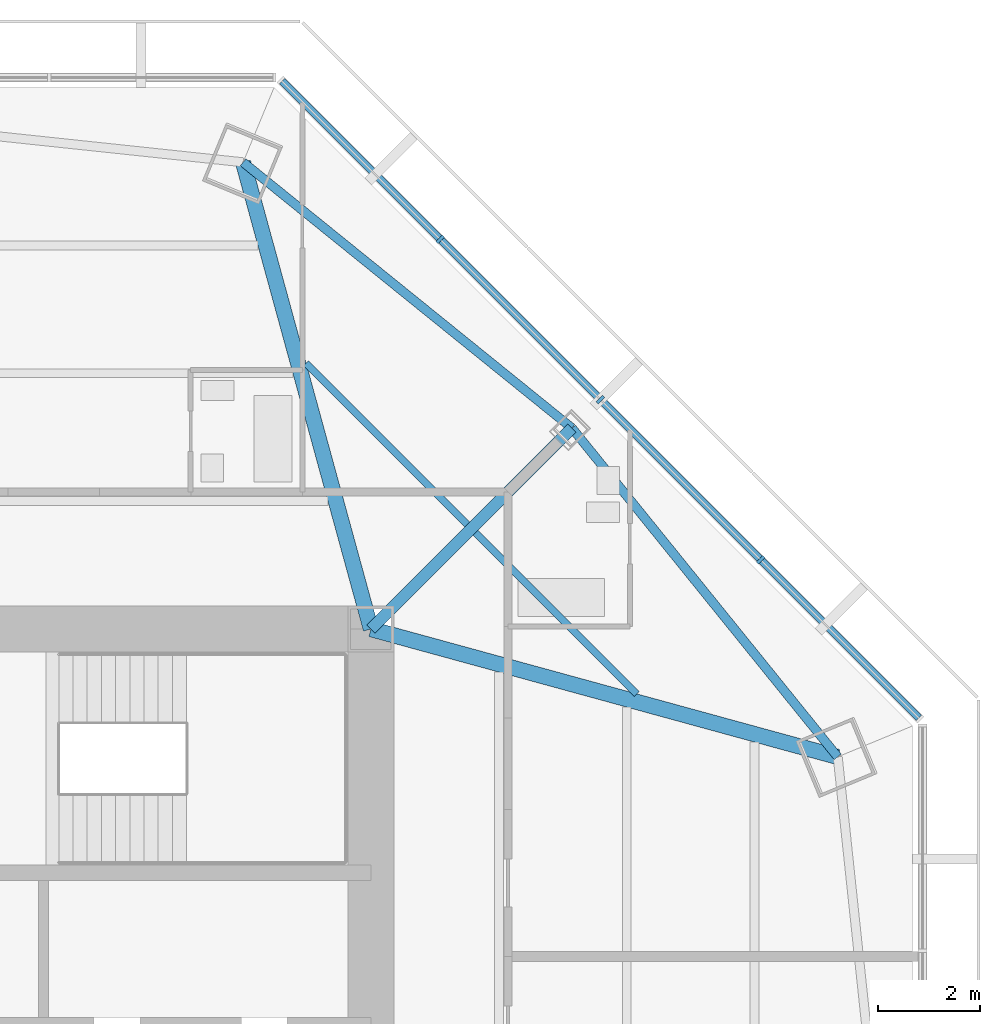
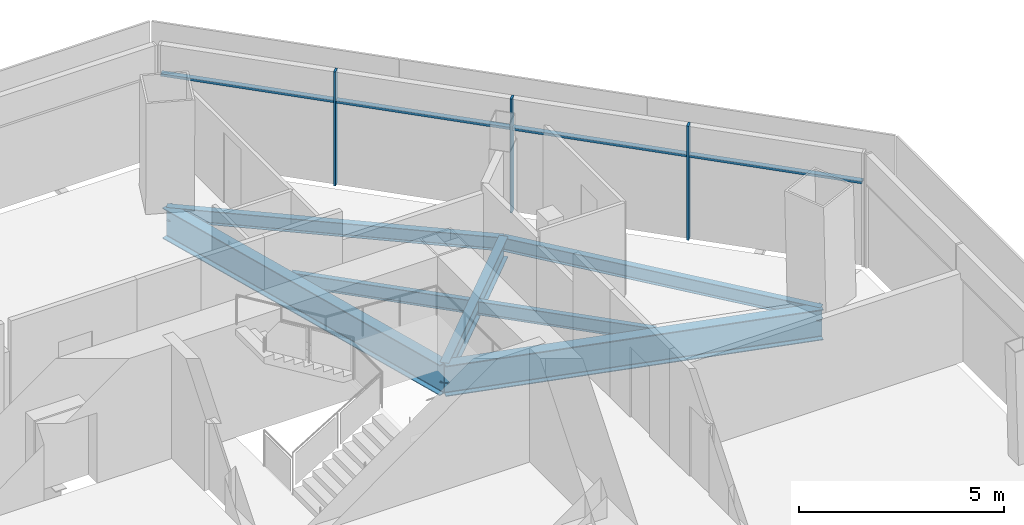
# One storey, part 6 of 15: 7 beams, 7 members, 1 element without a shape of its own.
"""IFC4 building model written with IfcOpenShell, lengths in metres."""

from ifc_helpers import new_model, si_unit, direction, frame, origin, origin_2d, place, context, subcontext, project, spatial, rectangle, i_section, extrude, source, transform, mapped, material, material_profile, profile_set, type_object, type_shapes, element, aggregate, save


model = new_model("IFC4")

# Units and contexts
model_context = context("Model", 3, precision=1e-05, world=origin(), true_north=direction((0.0, 1.0)))
body_context = subcontext(model_context, "Body", "Model", "MODEL_VIEW")
ifc_project = project(units=[si_unit("LENGTHUNIT", "METRE"), si_unit("AREAUNIT", "SQUARE_METRE"), si_unit("VOLUMEUNIT", "CUBIC_METRE"), si_unit("PLANEANGLEUNIT", "RADIAN"), si_unit("MASSUNIT", "GRAM", prefix="KILO")], contexts=[model_context])

# Site, building, storey
site_placement = place(None, origin())
site = spatial("IfcSite", under=ifc_project, at=site_placement, CompositionType="ELEMENT")
building_placement = place(site_placement, origin())
building = spatial("IfcBuilding", under=site, at=building_placement, Name="Mashrafa Tower", CompositionType="ELEMENT")
storey_placement = place(building_placement, frame((0.0, 0.0, 224.39990234375)))
storey = spatial("IfcBuildingStorey", under=building, at=storey_placement, Name="L52", CompositionType="ELEMENT", Elevation=224.39990234375)

# Beams
ifc_material_1 = material(Name="Steel ASTM A992", Category="steel")
ifc_material_profile_1 = material_profile(ifc_material_1, i_section(OverallWidth=0.140380859375, OverallDepth=0.40380859375, WebThickness=0.007080078125, FlangeThickness=0.01123046875, FilletRadius=0.01025390625, at=origin_2d()), Name="W16X31")
ifc_profile_set_1 = profile_set([ifc_material_profile_1], Name="Steel ASTM A992")
beam_type_1 = type_object("IfcBeamType", Name="Beam W16X31", PredefinedType="BEAM", material=ifc_profile_set_1)
for number, where, z_axis, x_axis, name in (
    (1, (9.5244140625, 16.03466796875, -0.40185546875), (0.707106781187, -0.707106781187, 0.0), (0.707106781187, 0.707106781187, 0.0), "Floor beam L52 021"),
    (2, (12.860595703125, 12.698486328125, -0.40185546875), (0.707106781187, -0.707106781187, 0.0), (0.707106781187, 0.707106781187, 0.0), "Floor beam L52 025"),
):
    element("IfcBeam", number, at=place(storey_placement, frame(where, z_axis=z_axis, x_axis=x_axis)), inside=storey, type_object=beam_type_1, Name=name, PredefinedType="BEAM", context=body_context, shape_type="SweptSolid", body=[
        extrude(i_section(OverallWidth=0.140380859375, OverallDepth=0.40380859375, WebThickness=0.007080078125, FlangeThickness=0.01123046875, FilletRadius=0.01025390625, at=origin_2d()), origin(), (0.0, 0.0, 1.0), 4.48876953125),
    ])
ifc_material_2 = material(Name="Steel ASTM A992", Category="steel")
ifc_material_profile_2 = material_profile(ifc_material_2, i_section(OverallWidth=0.177734375, OverallDepth=0.406494140625, WebThickness=0.0078125, FlangeThickness=0.012939453125, FilletRadius=0.01025390625, at=origin_2d()), Name="W16X40")
ifc_profile_set_2 = profile_set([ifc_material_profile_2], Name="Steel ASTM A992")
beam_type_2 = type_object("IfcBeamType", Name="Beam W16X40", PredefinedType="BEAM", material=ifc_profile_set_2)
for number, where, z_axis, x_axis, name in (
    (3, (14.759033203125, 14.759033203125, -0.403076171875), (-0.777727295648, 0.628601824372, 0.0), (-0.628601824372, -0.777727295648, 0.0), "Spandrel beam L52 061"),
    (4, (19.994140625, 8.281982421875, -0.403076171875), (-0.628601824372, 0.777727295648, 0.0), (-0.777727295648, -0.628601824372, 0.0), "Spandrel beam L52 063"),
):
    element("IfcBeam", number, at=place(storey_placement, frame(where, z_axis=z_axis, x_axis=x_axis)), inside=storey, type_object=beam_type_2, Name=name, PredefinedType="BEAM", context=body_context, shape_type="SweptSolid", body=[
        extrude(i_section(OverallWidth=0.177734375, OverallDepth=0.406494140625, WebThickness=0.0078125, FlangeThickness=0.012939453125, FilletRadius=0.01025390625, at=origin_2d()), origin(), (0.0, 0.0, 1.0), 8.328125),
    ])
ifc_material_3 = material(Name="Steel ASTM A992", Category="steel")
ifc_material_profile_3 = material_profile(ifc_material_3, i_section(OverallWidth=0.22900390625, OverallDepth=0.612060546875, WebThickness=0.011962890625, FlangeThickness=0.01953125, FilletRadius=0.0126953125, at=origin_2d()), Name="W24X84")
ifc_profile_set_3 = profile_set([ifc_material_profile_3], Name="Steel ASTM A992")
beam_type_3 = type_object("IfcBeamType", Name="Beam W24X84", PredefinedType="BEAM", material=ifc_profile_set_3)
beam_placement = place(storey_placement, frame((10.800048828125, 10.800048828125, -0.505859375), z_axis=(0.707106781187, 0.707106781187, 0.0), x_axis=(-0.707106781187, 0.707106781187, 0.0)))
element("IfcBeam", 5, at=beam_placement, inside=storey, type_object=beam_type_3, Name="Radial girder L52 047", PredefinedType="BEAM", context=body_context, shape_type="SweptSolid", body=[
    extrude(i_section(OverallWidth=0.22900390625, OverallDepth=0.612060546875, WebThickness=0.011962890625, FlangeThickness=0.01953125, FilletRadius=0.0126953125, at=origin_2d()), origin(), (0.0, 0.0, 1.0), 5.598876953125),
])
ifc_material_4 = material(Name="Steel ASTM A992", Category="steel")
ifc_material_profile_4 = material_profile(ifc_material_4, i_section(OverallWidth=0.3046875, OverallDepth=0.911865234375, WebThickness=0.015869140625, FlangeThickness=0.02392578125, FilletRadius=0.01904296875, at=origin_2d()), Name="W36X150")
ifc_profile_set_4 = profile_set([ifc_material_profile_4], Name="Steel ASTM A992")
beam_type_4 = type_object("IfcBeamType", Name="Beam W36X150", PredefinedType="BEAM", material=ifc_profile_set_4)
for number, where, z_axis, x_axis, name in (
    (6, (10.800048828125, 10.800048828125, -0.65576171875), (-0.264150950588, 0.964481350418, 0.0), (-0.964481350418, -0.264150950588, 0.0), "Radial girder L52 046"),
    (7, (10.800048828125, 10.800048828125, -0.65576171875), (0.964481350418, -0.264150950588, 0.0), (0.264150950588, 0.964481350418, 0.0), "Radial girder L52 048"),
):
    element("IfcBeam", number, at=place(storey_placement, frame(where, z_axis=z_axis, x_axis=x_axis)), inside=storey, type_object=beam_type_4, Name=name, PredefinedType="BEAM", context=body_context, shape_type="SweptSolid", body=[
        extrude(i_section(OverallWidth=0.3046875, OverallDepth=0.911865234375, WebThickness=0.015869140625, FlangeThickness=0.02392578125, FilletRadius=0.01904296875, at=origin_2d()), origin(), (0.0, 0.0, 1.0), 9.53271484375),
    ])

# Curtain wall, members
ifc_material_5 = material(Name="Unitised aluminium curtain wall", Category="aluminium")
curtain_wall_type = type_object("IfcCurtainWallType", Name="Apartment curtain wall, zone 3 CW-C 180 deep", PredefinedType="NOTDEFINED", material=ifc_material_5)
curtain_wall_placement = place(storey_placement, origin())
curtain_wall = element("IfcCurtainWall", 8, at=curtain_wall_placement, inside=storey, type_object=curtain_wall_type, Name="Apartment curtain wall, zone 3 L52 north-east", PredefinedType="NOTDEFINED")
ifc_material_6 = material(Name="Extruded aluminium mullion", Category="aluminium")
ifc_material_profile_5 = material_profile(ifc_material_6, rectangle(XDim=0.179931640625, YDim=0.06005859375, at=origin_2d()), Name="Mullion 60x180")
ifc_profile_set_5 = profile_set([ifc_material_profile_5], Name="Extruded aluminium mullion")
member_type_1 = type_object("IfcMemberType", Name="Mullion CW-C 60 x 180", PredefinedType="MULLION", material=ifc_profile_set_5)
shared_shape_1 = source(origin(), body_context, "Body", "SweptSolid", [
    extrude(rectangle(XDim=0.179931640625, YDim=0.06005859375, at=origin_2d()), origin(), (0.0, 0.0, 1.0), 3.400146484375),
])
type_shapes(member_type_1, [shared_shape_1])
member_1_placement = place(storey_placement, frame((18.47705078125, 12.164306640625, 0.0), z_axis=(0.0, 0.0, 1.0), x_axis=(-0.707106781187, -0.707106781187, 0.0)))
member_1 = element("IfcMember", 9, at=member_1_placement, type_object=member_type_1, Name="CW-C mullion 2", PredefinedType="MULLION", context=body_context, shape_type="MappedRepresentation", body=[
    mapped(shared_shape_1, transform((0.0, 0.0, 0.0))),
])
member_2_placement = place(storey_placement, frame((15.32080078125, 15.32080078125, 0.0), z_axis=(0.0, 0.0, 1.0), x_axis=(-0.707106781187, -0.707106781187, 0.0)))
member_2 = element("IfcMember", 10, at=member_2_placement, type_object=member_type_1, Name="CW-C mullion 3", PredefinedType="MULLION", context=body_context, shape_type="MappedRepresentation", body=[
    mapped(shared_shape_1, transform((0.0, 0.0, 0.0))),
])
member_3_placement = place(storey_placement, frame((12.164306640625, 18.47705078125, 0.0), z_axis=(0.0, 0.0, 1.0), x_axis=(-0.707106781187, -0.707106781187, 0.0)))
member_3 = element("IfcMember", 11, at=member_3_placement, type_object=member_type_1, Name="CW-C mullion 4", PredefinedType="MULLION", context=body_context, shape_type="MappedRepresentation", body=[
    mapped(shared_shape_1, transform((0.0, 0.0, 0.0))),
])
ifc_material_7 = material(Name="Extruded aluminium transom", Category="aluminium")
ifc_material_profile_6 = material_profile(ifc_material_7, rectangle(XDim=0.14404296875, YDim=0.074951171875, at=origin_2d()), Name="Transom 75x144")
ifc_profile_set_6 = profile_set([ifc_material_profile_6], Name="Extruded aluminium transom")
member_type_2 = type_object("IfcMemberType", Name="Transom CW-C 75 x 144", PredefinedType="MULLION", material=ifc_profile_set_6)
shared_shape_2 = source(origin(), body_context, "Body", "SweptSolid", [
    extrude(rectangle(XDim=0.14404296875, YDim=0.074951171875, at=origin_2d()), origin(), (0.0, 0.0, 1.0), 4.373779296875),
])
member_4_placement = place(storey_placement, frame((21.5908203125, 9.050537109375, 2.5), z_axis=(-0.707078870362, 0.707134690909, 0.0), x_axis=(-0.707134690909, -0.707078870362, 0.0)))
member_4 = element("IfcMember", 12, at=member_4_placement, type_object=member_type_2, Name="CW-C transom 1", PredefinedType="MULLION", context=body_context, shape_type="MappedRepresentation", body=[
    mapped(shared_shape_2, transform((0.0, 0.0, 0.0))),
])
member_5_placement = place(storey_placement, frame((12.143310546875, 18.498291015625, 2.5), z_axis=(-0.707134690909, 0.707078870362, 0.0), x_axis=(-0.707078870362, -0.707134690909, 0.0)))
member_5 = element("IfcMember", 13, at=member_5_placement, type_object=member_type_2, Name="CW-C transom 4", PredefinedType="MULLION", context=body_context, shape_type="MappedRepresentation", body=[
    mapped(shared_shape_2, transform((0.0, 0.0, 0.0))),
])
shared_shape_3 = source(origin(), body_context, "Body", "SweptSolid", [
    extrude(rectangle(XDim=0.14404296875, YDim=0.074951171875, at=origin_2d()), origin(), (0.0, 0.0, 1.0), 4.40380859375),
])
type_shapes(member_type_2, [shared_shape_2, shared_shape_3])
member_6_placement = place(storey_placement, frame((18.455810546875, 12.185546875, 2.5), z_axis=(-0.707079060749, 0.707134500537, 0.0), x_axis=(-0.707134500537, -0.707079060749, 0.0)))
member_6 = element("IfcMember", 14, at=member_6_placement, type_object=member_type_2, Name="CW-C transom 2", PredefinedType="MULLION", context=body_context, shape_type="MappedRepresentation", body=[
    mapped(shared_shape_3, transform((0.0, 0.0, 0.0))),
])
member_7_placement = place(storey_placement, frame((15.299560546875, 15.342041015625, 2.5), z_axis=(-0.707134500537, 0.707079060749, 0.0), x_axis=(-0.707079060749, -0.707134500537, 0.0)))
member_7 = element("IfcMember", 15, at=member_7_placement, type_object=member_type_2, Name="CW-C transom 3", PredefinedType="MULLION", context=body_context, shape_type="MappedRepresentation", body=[
    mapped(shared_shape_3, transform((0.0, 0.0, 0.0))),
])
aggregate(curtain_wall, [member_1, member_2, member_3, member_4, member_6, member_7, member_5])

save(model, "model.ifc")
